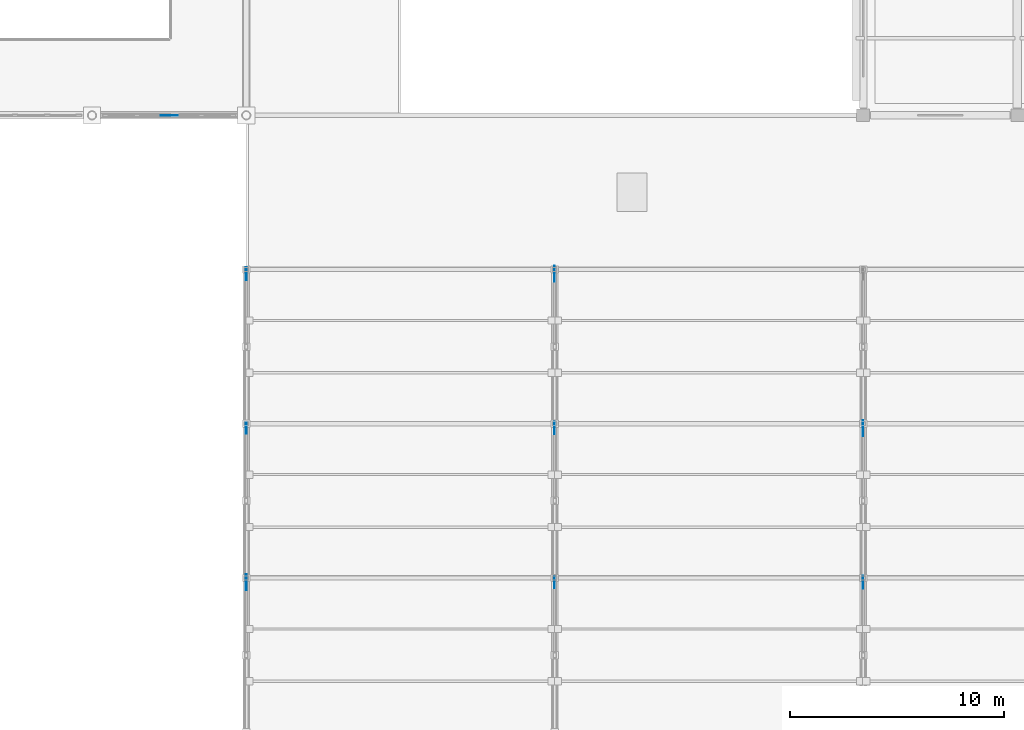
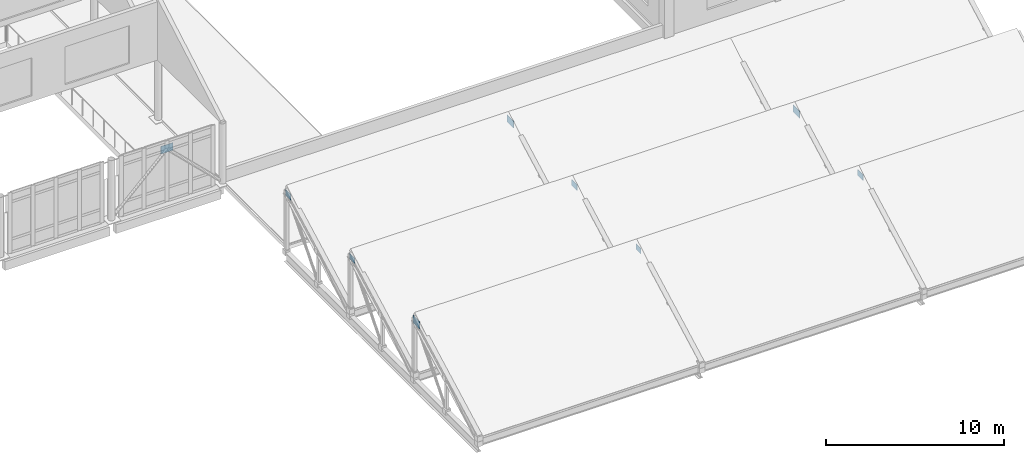
# One storey, part 37 of 62: 9 plates.
"""IFC4 building model written with IfcOpenShell, lengths in metres."""

from ifc_helpers import new_model, si_unit, direction, frame, origin, origin_2d, place, context, subcontext, project, spatial, rectangle, extrude, material, type_object, element, save


model = new_model("IFC4")

# Units and contexts
model_context = context("Model", 3, precision=1e-05, world=origin(), true_north=direction((0.0, 1.0)))
body_context = subcontext(model_context, "Body", "Model", "MODEL_VIEW")
ifc_project = project(units=[si_unit("LENGTHUNIT", "METRE"), si_unit("AREAUNIT", "SQUARE_METRE"), si_unit("VOLUMEUNIT", "CUBIC_METRE"), si_unit("PLANEANGLEUNIT", "RADIAN"), si_unit("MASSUNIT", "GRAM", prefix="KILO")], contexts=[model_context])

# Site, building, storey
site_placement = place(None, origin())
site = spatial("IfcSite", under=ifc_project, at=site_placement, CompositionType="ELEMENT")
building_placement = place(site_placement, origin())
building = spatial("IfcBuilding", under=site, at=building_placement, Name="Valkovuoma Quantum and Materials Research Institute", CompositionType="ELEMENT")
storey_placement = place(building_placement, frame((0.0, 0.0, 13.1201171875)))
storey = spatial("IfcBuildingStorey", under=building, at=storey_placement, Name="L03", CompositionType="ELEMENT", Elevation=13.1201171875)

# Plates
ifc_material_1 = material(Name="Steel S355J2", Category="steel")
plate_type_1 = type_object("IfcPlateType", Name="Plate-PL-GUS1", PredefinedType="USERDEFINED", material=ifc_material_1)
for number, where, z_axis, x_axis, name in (
    (1, (100.800048828125, 28.60009765625, 3.449951171875), (0.0, 0.0, 1.0), (0.0, 1.0, 0.0), "L03 VOL1 truss gusset 1.3"),
    (2, (115.199951171875, 21.39990234375, 3.449951171875), (0.0, 0.0, 1.0), (0.0, 1.0, 0.0), "L03 VOL1 truss gusset 2.2"),
    (3, (129.60009765625, 14.199951171875, 3.449951171875), (0.0, 0.0, 1.0), (0.0, 1.0, 0.0), "L03 VOL1 truss gusset 3.1"),
):
    element("IfcPlate", number, at=place(storey_placement, frame(where, z_axis=z_axis, x_axis=x_axis)), inside=storey, type_object=plate_type_1, Name=name, ObjectType="GUSSET_PLATE", PredefinedType="USERDEFINED", context=body_context, shape_type="SweptSolid", body=[
        extrude(rectangle(XDim=0.60009765625, YDim=0.02490234375, at=origin_2d()), origin(), (0.0, 0.0, 1.0), 0.39990234375),
    ])
ifc_material_2 = material(Name="Steel S355J2", Category="steel")
plate_type_2 = type_object("IfcPlateType", Name="Plate-PL-GUS2", PredefinedType="USERDEFINED", material=ifc_material_2)
for number, where, z_axis, x_axis, name in (
    (4, (100.800048828125, 14.199951171875, 3.39990234375), (0.0, 0.0, 1.0), (0.0, 1.0, 0.0), "L03 VOL1 truss gusset 1.1"),
    (5, (115.199951171875, 28.60009765625, 3.39990234375), (0.0, 0.0, 1.0), (0.0, 1.0, 0.0), "L03 VOL1 truss gusset 2.3"),
    (6, (129.60009765625, 21.39990234375, 3.39990234375), (0.0, 0.0, 1.0), (0.0, 1.0, 0.0), "L03 VOL1 truss gusset 3.2"),
):
    element("IfcPlate", number, at=place(storey_placement, frame(where, z_axis=z_axis, x_axis=x_axis)), inside=storey, type_object=plate_type_2, Name=name, ObjectType="GUSSET_PLATE", PredefinedType="USERDEFINED", context=body_context, shape_type="SweptSolid", body=[
        extrude(rectangle(XDim=0.75, YDim=0.02490234375, at=origin_2d()), origin(), (0.0, 0.0, 1.0), 0.5),
    ])
ifc_material_3 = material(Name="Steel S355J2", Category="steel")
plate_type_3 = type_object("IfcPlateType", Name="Plate-PL-GUS4", PredefinedType="USERDEFINED", material=ifc_material_3)
for number, where, z_axis, x_axis, name in (
    (7, (100.800048828125, 21.39990234375, 3.4697265625), (0.0, 0.0, 1.0), (0.0, 1.0, 0.0), "L03 VOL1 truss gusset 1.2"),
    (8, (115.199951171875, 14.199951171875, 3.4697265625), (0.0, 0.0, 1.0), (0.0, 1.0, 0.0), "L03 VOL1 truss gusset 2.1"),
):
    element("IfcPlate", number, at=place(storey_placement, frame(where, z_axis=z_axis, x_axis=x_axis)), inside=storey, type_object=plate_type_3, Name=name, ObjectType="GUSSET_PLATE", PredefinedType="USERDEFINED", context=body_context, shape_type="SweptSolid", body=[
        extrude(rectangle(XDim=0.550048828125, YDim=0.02490234375, at=origin_2d()), origin(), (0.0, 0.0, 1.0), 0.360107421875),
    ])
ifc_material_4 = material(Name="Steel S355J2", Category="steel")
plate_type_4 = type_object("IfcPlateType", Name="Plate-PL-SHT3", PredefinedType="SHEET", material=ifc_material_4)
plate_placement = place(storey_placement, frame((97.199951171875, 36.0, 3.349853515625), z_axis=(0.0, 0.0, 1.0), x_axis=(1.0, 0.0, 0.0)))
element("IfcPlate", 9, at=plate_placement, inside=storey, type_object=plate_type_4, Name="L03 chevron node sheet plate 08", PredefinedType="SHEET", context=body_context, shape_type="SweptSolid", body=[
    extrude(rectangle(XDim=0.800048828125, YDim=0.02490234375, at=origin_2d()), origin(), (0.0, 0.0, 1.0), 0.52001953125),
])

save(model, "model.ifc")
